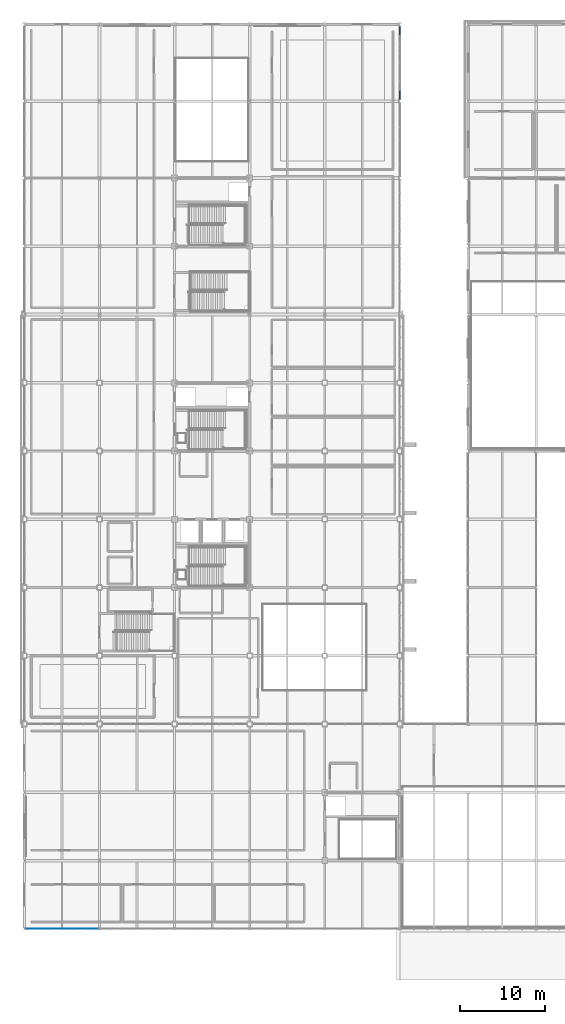
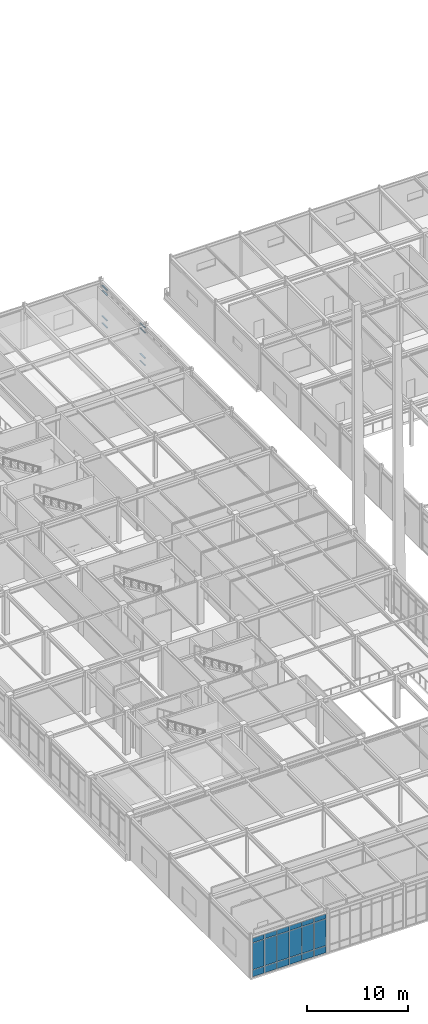
# One storey, part 81 of 184: 18 plates, 8 members, 2 elements without a shape of their own.
"""IFC4 building model written with IfcOpenShell, lengths in metres."""

from ifc_helpers import new_model, si_unit, direction, frame, origin, origin_2d, place, context, subcontext, project, spatial, rectangle, extrude, material, layer, layer_set, material_profile, profile_set, type_object, element, aggregate, save


model = new_model("IFC4")

# Units and contexts
model_context = context("Model", 3, precision=1e-05, world=origin(), true_north=direction((0.0, 1.0)))
body_context = subcontext(model_context, "Body", "Model", "MODEL_VIEW")
ifc_project = project(units=[si_unit("LENGTHUNIT", "METRE"), si_unit("AREAUNIT", "SQUARE_METRE"), si_unit("VOLUMEUNIT", "CUBIC_METRE"), si_unit("PLANEANGLEUNIT", "RADIAN"), si_unit("MASSUNIT", "GRAM", prefix="KILO")], contexts=[model_context])

# Site, building, storey
site_placement = place(None, origin())
site = spatial("IfcSite", under=ifc_project, at=site_placement, CompositionType="ELEMENT")
building_placement = place(site_placement, origin())
building = spatial("IfcBuilding", under=site, at=building_placement, Name="Zhaolan Boulevard Law Courts", CompositionType="ELEMENT")
storey_placement = place(building_placement, frame((0.0, 0.0, 5.39990234375)))
storey = spatial("IfcBuildingStorey", under=building, at=storey_placement, Name="L01", CompositionType="ELEMENT", Elevation=5.39990234375)

# Curtain wall, members
ifc_material_1 = material(Name="Thermally broken aluminium and low-E glazing", Category="aluminium")
curtain_wall_type_1 = type_object("IfcCurtainWallType", Name="CURTAIN WALL M18", PredefinedType="USERDEFINED", material=ifc_material_1)
curtain_wall_1_placement = place(storey_placement, origin())
curtain_wall_1 = element("IfcCurtainWall", 1, at=curtain_wall_1_placement, inside=storey, type_object=curtain_wall_type_1, Name="Curtain Wall CW-L01-114", ObjectType="CURTAIN WALL", PredefinedType="USERDEFINED")
ifc_material_2 = material(Name="Fluorocarbon-coated aluminium 6063-T6", Category="aluminium")
ifc_material_profile = material_profile(ifc_material_2, rectangle(XDim=0.139892578125, YDim=0.06494140625, at=origin_2d()), Name="AL65x140")
ifc_profile_set = profile_set([ifc_material_profile], Name="Fluorocarbon-coated aluminium 6063-T6")
member_type = type_object("IfcMemberType", Name="CWTRANSOM 65X140", PredefinedType="USERDEFINED", material=ifc_profile_set)
member_1_placement = place(storey_placement, frame((44.0, 103.241943359375, 0.03271484375), z_axis=(0.0, 1.0, 0.0), x_axis=(-1.0, 0.0, 0.0)))
member_1 = element("IfcMember", 2, at=member_1_placement, type_object=member_type, Name="CW-L01-114 transom 1.1", ObjectType="TRANSOM", PredefinedType="USERDEFINED", context=body_context, shape_type="SweptSolid", body=[
    extrude(rectangle(XDim=0.139892578125, YDim=0.06494140625, at=origin_2d()), origin(), (0.0, 0.0, 1.0), 0.9833984375),
])
member_2_placement = place(storey_placement, frame((44.0, 103.241943359375, 0.900146484375), z_axis=(0.0, 1.0, 0.0), x_axis=(-1.0, 0.0, 0.0)))
member_2 = element("IfcMember", 3, at=member_2_placement, type_object=member_type, Name="CW-L01-114 transom 1.2", ObjectType="TRANSOM", PredefinedType="USERDEFINED", context=body_context, shape_type="SweptSolid", body=[
    extrude(rectangle(XDim=0.139892578125, YDim=0.06494140625, at=origin_2d()), origin(), (0.0, 0.0, 1.0), 0.9833984375),
])
member_3_placement = place(storey_placement, frame((44.0, 103.241943359375, 3.97119140625), z_axis=(0.0, 1.0, 0.0), x_axis=(-1.0, 0.0, 0.0)))
member_3 = element("IfcMember", 4, at=member_3_placement, type_object=member_type, Name="CW-L01-114 transom 1.3", ObjectType="TRANSOM", PredefinedType="USERDEFINED", context=body_context, shape_type="SweptSolid", body=[
    extrude(rectangle(XDim=0.139892578125, YDim=0.06494140625, at=origin_2d()), origin(), (0.0, 0.0, 1.0), 0.9833984375),
])
member_4_placement = place(storey_placement, frame((44.0, 103.241943359375, 4.588623046875), z_axis=(0.0, 1.0, 0.0), x_axis=(-1.0, 0.0, 0.0)))
member_4 = element("IfcMember", 5, at=member_4_placement, type_object=member_type, Name="CW-L01-114 transom 1.4", ObjectType="TRANSOM", PredefinedType="USERDEFINED", context=body_context, shape_type="SweptSolid", body=[
    extrude(rectangle(XDim=0.139892578125, YDim=0.06494140625, at=origin_2d()), origin(), (0.0, 0.0, 1.0), 0.9833984375),
])
member_5_placement = place(storey_placement, frame((44.0, 110.774658203125, 0.03271484375), z_axis=(0.0, 1.0, 0.0), x_axis=(-1.0, 0.0, 0.0)))
member_5 = element("IfcMember", 6, at=member_5_placement, type_object=member_type, Name="CW-L01-114 transom 8.1", ObjectType="TRANSOM", PredefinedType="USERDEFINED", context=body_context, shape_type="SweptSolid", body=[
    extrude(rectangle(XDim=0.139892578125, YDim=0.06494140625, at=origin_2d()), origin(), (0.0, 0.0, 1.0), 0.9833984375),
])
member_6_placement = place(storey_placement, frame((44.0, 110.774658203125, 0.900146484375), z_axis=(0.0, 1.0, 0.0), x_axis=(-1.0, 0.0, 0.0)))
member_6 = element("IfcMember", 7, at=member_6_placement, type_object=member_type, Name="CW-L01-114 transom 8.2", ObjectType="TRANSOM", PredefinedType="USERDEFINED", context=body_context, shape_type="SweptSolid", body=[
    extrude(rectangle(XDim=0.139892578125, YDim=0.06494140625, at=origin_2d()), origin(), (0.0, 0.0, 1.0), 0.9833984375),
])
member_7_placement = place(storey_placement, frame((44.0, 110.774658203125, 3.97119140625), z_axis=(0.0, 1.0, 0.0), x_axis=(-1.0, 0.0, 0.0)))
member_7 = element("IfcMember", 8, at=member_7_placement, type_object=member_type, Name="CW-L01-114 transom 8.3", ObjectType="TRANSOM", PredefinedType="USERDEFINED", context=body_context, shape_type="SweptSolid", body=[
    extrude(rectangle(XDim=0.139892578125, YDim=0.06494140625, at=origin_2d()), origin(), (0.0, 0.0, 1.0), 0.9833984375),
])
member_8_placement = place(storey_placement, frame((44.0, 110.774658203125, 4.588623046875), z_axis=(0.0, 1.0, 0.0), x_axis=(-1.0, 0.0, 0.0)))
member_8 = element("IfcMember", 9, at=member_8_placement, type_object=member_type, Name="CW-L01-114 transom 8.4", ObjectType="TRANSOM", PredefinedType="USERDEFINED", context=body_context, shape_type="SweptSolid", body=[
    extrude(rectangle(XDim=0.139892578125, YDim=0.06494140625, at=origin_2d()), origin(), (0.0, 0.0, 1.0), 0.9833984375),
])
aggregate(curtain_wall_1, [member_1, member_2, member_3, member_4, member_5, member_6, member_7, member_8])

# Curtain wall, plates
ifc_material_3 = material(Name="Thermally broken aluminium and low-E glazing", Category="aluminium")
curtain_wall_type_2 = type_object("IfcCurtainWallType", Name="CURTAIN WALL M4", PredefinedType="USERDEFINED", material=ifc_material_3)
curtain_wall_2_placement = place(storey_placement, origin())
curtain_wall_2 = element("IfcCurtainWall", 10, at=curtain_wall_2_placement, inside=storey, type_object=curtain_wall_type_2, Name="Curtain Wall CW-L01-028", ObjectType="CURTAIN WALL", PredefinedType="USERDEFINED")
ifc_material_4 = material(Name="Acoustic laminated low-E glazing", Category="glass")
ifc_layer = layer(ifc_material_4, 0.031982421875)
ifc_layer_set = layer_set([ifc_layer])
plate_type = type_object("IfcPlateType", Name="CWPANEL LOW E32", PredefinedType="CURTAIN_PANEL", material=ifc_layer_set)
plate_1_placement = place(storey_placement, frame((0.85546875, 6.0, 0.06494140625), z_axis=(0.0, 0.0, 1.0), x_axis=(1.0, 0.0, 0.0)))
plate_1 = element("IfcPlate", 11, at=plate_1_placement, type_object=plate_type, Name="CW-L01-028 panel 1.1", PredefinedType="CURTAIN_PANEL", context=body_context, shape_type="SweptSolid", body=[
    extrude(rectangle(XDim=1.326904296875, YDim=0.031982421875, at=origin_2d()), origin(), (0.0, 0.0, 1.0), 0.802490234375),
])
plate_2_placement = place(storey_placement, frame((0.85546875, 6.0, 0.9326171875), z_axis=(0.0, 0.0, 1.0), x_axis=(1.0, 0.0, 0.0)))
plate_2 = element("IfcPlate", 12, at=plate_2_placement, type_object=plate_type, Name="CW-L01-028 panel 1.2", PredefinedType="CURTAIN_PANEL", context=body_context, shape_type="SweptSolid", body=[
    extrude(rectangle(XDim=1.326904296875, YDim=0.031982421875, at=origin_2d()), origin(), (0.0, 0.0, 1.0), 3.2080078125),
])
plate_3_placement = place(storey_placement, frame((0.85546875, 6.0, 4.20556640625), z_axis=(0.0, 0.0, 1.0), x_axis=(1.0, 0.0, 0.0)))
plate_3 = element("IfcPlate", 13, at=plate_3_placement, type_object=plate_type, Name="CW-L01-028 panel 1.3", PredefinedType="CURTAIN_PANEL", context=body_context, shape_type="SweptSolid", body=[
    extrude(rectangle(XDim=1.326904296875, YDim=0.031982421875, at=origin_2d()), origin(), (0.0, 0.0, 1.0), 0.552490234375),
])
plate_4_placement = place(storey_placement, frame((2.263427734375, 6.0, 0.06494140625), z_axis=(0.0, 0.0, 1.0), x_axis=(1.0, 0.0, 0.0)))
plate_4 = element("IfcPlate", 14, at=plate_4_placement, type_object=plate_type, Name="CW-L01-028 panel 2.1", PredefinedType="CURTAIN_PANEL", context=body_context, shape_type="SweptSolid", body=[
    extrude(rectangle(XDim=1.359375, YDim=0.031982421875, at=origin_2d()), origin(), (0.0, 0.0, 1.0), 0.802490234375),
])
plate_5_placement = place(storey_placement, frame((2.263427734375, 6.0, 0.9326171875), z_axis=(0.0, 0.0, 1.0), x_axis=(1.0, 0.0, 0.0)))
plate_5 = element("IfcPlate", 15, at=plate_5_placement, type_object=plate_type, Name="CW-L01-028 panel 2.2", PredefinedType="CURTAIN_PANEL", context=body_context, shape_type="SweptSolid", body=[
    extrude(rectangle(XDim=1.359375, YDim=0.031982421875, at=origin_2d()), origin(), (0.0, 0.0, 1.0), 3.2080078125),
])
plate_6_placement = place(storey_placement, frame((2.263427734375, 6.0, 4.20556640625), z_axis=(0.0, 0.0, 1.0), x_axis=(1.0, 0.0, 0.0)))
plate_6 = element("IfcPlate", 16, at=plate_6_placement, type_object=plate_type, Name="CW-L01-028 panel 2.3", PredefinedType="CURTAIN_PANEL", context=body_context, shape_type="SweptSolid", body=[
    extrude(rectangle(XDim=1.359375, YDim=0.031982421875, at=origin_2d()), origin(), (0.0, 0.0, 1.0), 0.552490234375),
])
plate_7_placement = place(storey_placement, frame((3.687744140625, 6.0, 0.06494140625), z_axis=(0.0, 0.0, 1.0), x_axis=(1.0, 0.0, 0.0)))
plate_7 = element("IfcPlate", 17, at=plate_7_placement, type_object=plate_type, Name="CW-L01-028 panel 3.1", PredefinedType="CURTAIN_PANEL", context=body_context, shape_type="SweptSolid", body=[
    extrude(rectangle(XDim=1.359375, YDim=0.031982421875, at=origin_2d()), origin(), (0.0, 0.0, 1.0), 0.802490234375),
])
plate_8_placement = place(storey_placement, frame((3.687744140625, 6.0, 0.9326171875), z_axis=(0.0, 0.0, 1.0), x_axis=(1.0, 0.0, 0.0)))
plate_8 = element("IfcPlate", 18, at=plate_8_placement, type_object=plate_type, Name="CW-L01-028 panel 3.2", PredefinedType="CURTAIN_PANEL", context=body_context, shape_type="SweptSolid", body=[
    extrude(rectangle(XDim=1.359375, YDim=0.031982421875, at=origin_2d()), origin(), (0.0, 0.0, 1.0), 3.2080078125),
])
plate_9_placement = place(storey_placement, frame((3.687744140625, 6.0, 4.20556640625), z_axis=(0.0, 0.0, 1.0), x_axis=(1.0, 0.0, 0.0)))
plate_9 = element("IfcPlate", 19, at=plate_9_placement, type_object=plate_type, Name="CW-L01-028 panel 3.3", PredefinedType="CURTAIN_PANEL", context=body_context, shape_type="SweptSolid", body=[
    extrude(rectangle(XDim=1.359375, YDim=0.031982421875, at=origin_2d()), origin(), (0.0, 0.0, 1.0), 0.552490234375),
])
plate_10_placement = place(storey_placement, frame((5.112060546875, 6.0, 0.06494140625), z_axis=(0.0, 0.0, 1.0), x_axis=(1.0, 0.0, 0.0)))
plate_10 = element("IfcPlate", 20, at=plate_10_placement, type_object=plate_type, Name="CW-L01-028 panel 4.1", PredefinedType="CURTAIN_PANEL", context=body_context, shape_type="SweptSolid", body=[
    extrude(rectangle(XDim=1.359375, YDim=0.031982421875, at=origin_2d()), origin(), (0.0, 0.0, 1.0), 0.802490234375),
])
plate_11_placement = place(storey_placement, frame((5.112060546875, 6.0, 0.9326171875), z_axis=(0.0, 0.0, 1.0), x_axis=(1.0, 0.0, 0.0)))
plate_11 = element("IfcPlate", 21, at=plate_11_placement, type_object=plate_type, Name="CW-L01-028 panel 4.2", PredefinedType="CURTAIN_PANEL", context=body_context, shape_type="SweptSolid", body=[
    extrude(rectangle(XDim=1.359375, YDim=0.031982421875, at=origin_2d()), origin(), (0.0, 0.0, 1.0), 3.2080078125),
])
plate_12_placement = place(storey_placement, frame((5.112060546875, 6.0, 4.20556640625), z_axis=(0.0, 0.0, 1.0), x_axis=(1.0, 0.0, 0.0)))
plate_12 = element("IfcPlate", 22, at=plate_12_placement, type_object=plate_type, Name="CW-L01-028 panel 4.3", PredefinedType="CURTAIN_PANEL", context=body_context, shape_type="SweptSolid", body=[
    extrude(rectangle(XDim=1.359375, YDim=0.031982421875, at=origin_2d()), origin(), (0.0, 0.0, 1.0), 0.552490234375),
])
plate_13_placement = place(storey_placement, frame((6.53662109375, 6.0, 0.06494140625), z_axis=(0.0, 0.0, 1.0), x_axis=(1.0, 0.0, 0.0)))
plate_13 = element("IfcPlate", 23, at=plate_13_placement, type_object=plate_type, Name="CW-L01-028 panel 5.1", PredefinedType="CURTAIN_PANEL", context=body_context, shape_type="SweptSolid", body=[
    extrude(rectangle(XDim=1.359375, YDim=0.031982421875, at=origin_2d()), origin(), (0.0, 0.0, 1.0), 0.802490234375),
])
plate_14_placement = place(storey_placement, frame((6.53662109375, 6.0, 0.9326171875), z_axis=(0.0, 0.0, 1.0), x_axis=(1.0, 0.0, 0.0)))
plate_14 = element("IfcPlate", 24, at=plate_14_placement, type_object=plate_type, Name="CW-L01-028 panel 5.2", PredefinedType="CURTAIN_PANEL", context=body_context, shape_type="SweptSolid", body=[
    extrude(rectangle(XDim=1.359375, YDim=0.031982421875, at=origin_2d()), origin(), (0.0, 0.0, 1.0), 3.2080078125),
])
plate_15_placement = place(storey_placement, frame((6.53662109375, 6.0, 4.20556640625), z_axis=(0.0, 0.0, 1.0), x_axis=(1.0, 0.0, 0.0)))
plate_15 = element("IfcPlate", 25, at=plate_15_placement, type_object=plate_type, Name="CW-L01-028 panel 5.3", PredefinedType="CURTAIN_PANEL", context=body_context, shape_type="SweptSolid", body=[
    extrude(rectangle(XDim=1.359375, YDim=0.031982421875, at=origin_2d()), origin(), (0.0, 0.0, 1.0), 0.552490234375),
])
plate_16_placement = place(storey_placement, frame((7.944580078125, 6.0, 0.06494140625), z_axis=(0.0, 0.0, 1.0), x_axis=(1.0, 0.0, 0.0)))
plate_16 = element("IfcPlate", 26, at=plate_16_placement, type_object=plate_type, Name="CW-L01-028 panel 6.1", PredefinedType="CURTAIN_PANEL", context=body_context, shape_type="SweptSolid", body=[
    extrude(rectangle(XDim=1.326904296875, YDim=0.031982421875, at=origin_2d()), origin(), (0.0, 0.0, 1.0), 0.802490234375),
])
plate_17_placement = place(storey_placement, frame((7.944580078125, 6.0, 0.9326171875), z_axis=(0.0, 0.0, 1.0), x_axis=(1.0, 0.0, 0.0)))
plate_17 = element("IfcPlate", 27, at=plate_17_placement, type_object=plate_type, Name="CW-L01-028 panel 6.2", PredefinedType="CURTAIN_PANEL", context=body_context, shape_type="SweptSolid", body=[
    extrude(rectangle(XDim=1.326904296875, YDim=0.031982421875, at=origin_2d()), origin(), (0.0, 0.0, 1.0), 3.2080078125),
])
plate_18_placement = place(storey_placement, frame((7.944580078125, 6.0, 4.20556640625), z_axis=(0.0, 0.0, 1.0), x_axis=(1.0, 0.0, 0.0)))
plate_18 = element("IfcPlate", 28, at=plate_18_placement, type_object=plate_type, Name="CW-L01-028 panel 6.3", PredefinedType="CURTAIN_PANEL", context=body_context, shape_type="SweptSolid", body=[
    extrude(rectangle(XDim=1.326904296875, YDim=0.031982421875, at=origin_2d()), origin(), (0.0, 0.0, 1.0), 0.552490234375),
])
aggregate(curtain_wall_2, [plate_1, plate_2, plate_3, plate_4, plate_5, plate_6, plate_7, plate_8, plate_9, plate_10, plate_11, plate_12, plate_13, plate_14, plate_15, plate_16, plate_17, plate_18])

save(model, "model.ifc")
